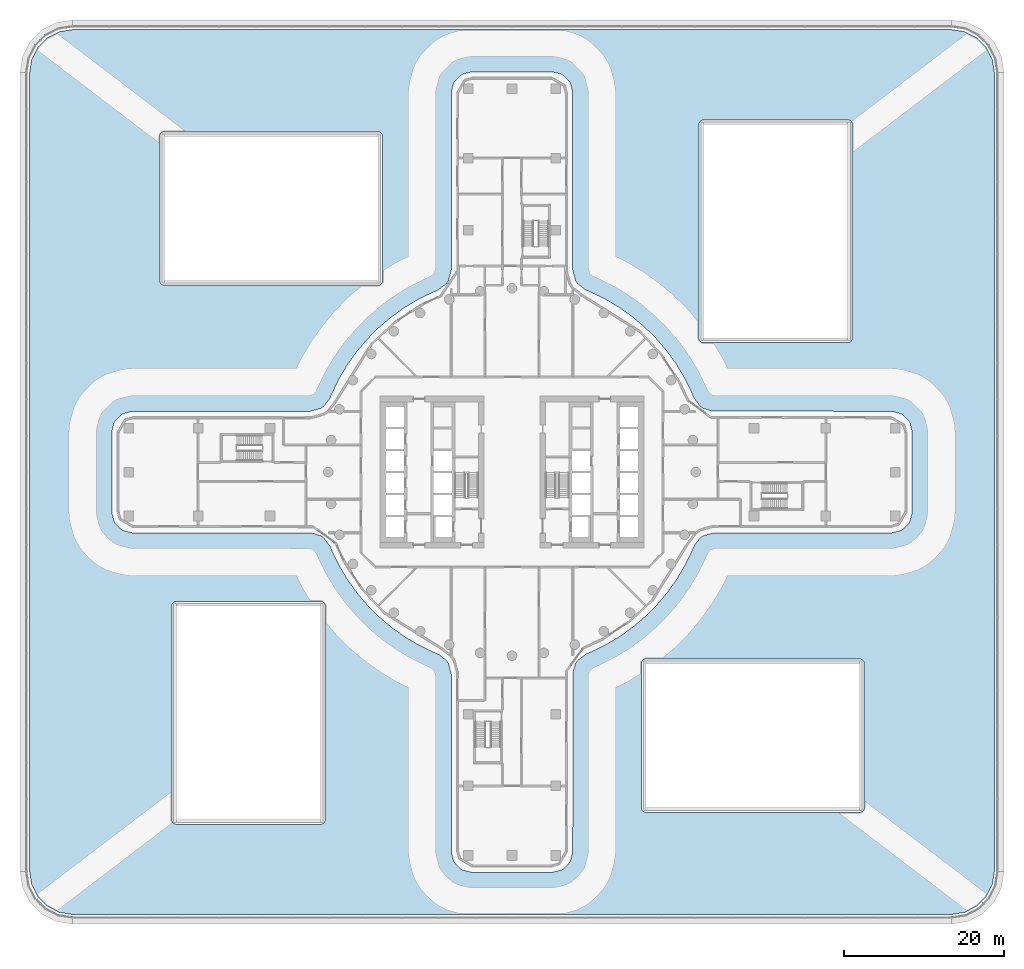
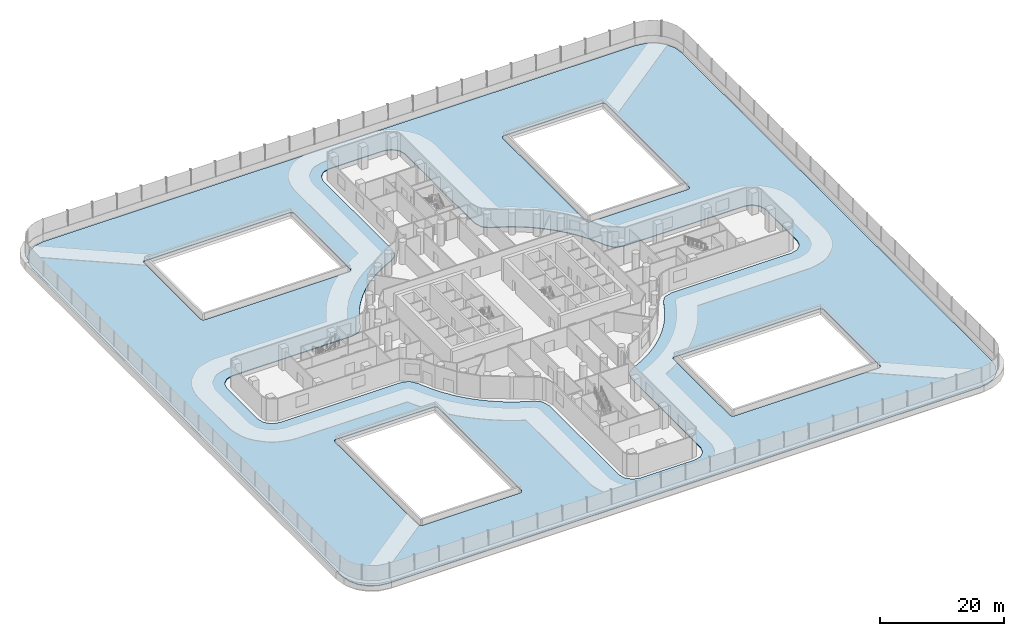
# One storey, part 30 of 37: 1 roof.
"""IFC4 building model written with IfcOpenShell, lengths in metres."""

from ifc_helpers import new_model, si_unit, direction, frame, origin, place, context, subcontext, project, spatial, polyline, outline, extrude, material, layer, layer_set, type_object, element, save


model = new_model("IFC4")

# Units and contexts
model_context = context("Model", 3, precision=1e-05, world=origin(), true_north=direction((0.0, 1.0)))
body_context = subcontext(model_context, "Body", "Model", "MODEL_VIEW")
ifc_project = project(units=[si_unit("LENGTHUNIT", "METRE"), si_unit("AREAUNIT", "SQUARE_METRE"), si_unit("VOLUMEUNIT", "CUBIC_METRE"), si_unit("PLANEANGLEUNIT", "RADIAN"), si_unit("MASSUNIT", "GRAM", prefix="KILO")], contexts=[model_context])

# Site, building, storey
site_placement = place(None, origin())
site = spatial("IfcSite", under=ifc_project, at=site_placement, CompositionType="ELEMENT")
building_placement = place(site_placement, origin())
building = spatial("IfcBuilding", under=site, at=building_placement, Name="Tamarind Cross Interchange Tower", CompositionType="ELEMENT")
storey_placement = place(building_placement, frame((0.0, 0.0, 29.5)))
storey = spatial("IfcBuildingStorey", under=building, at=storey_placement, Name="L05", CompositionType="ELEMENT", Elevation=29.5)

# Roof
ifc_material = material(Name="Soil and planting substrate")
ifc_layer = layer(ifc_material, 0.14990234375)
ifc_layer_set = layer_set([ifc_layer], Name="Soil and planting substrate")
roof_type = type_object("IfcRoofType", Name="Green roof", PredefinedType="USERDEFINED", material=ifc_layer_set)
roof_placement = place(storey_placement, origin())
element("IfcRoof", 1, at=roof_placement, inside=storey, type_object=roof_type, Name="GRF-L05-P", ObjectType="Green roof", PredefinedType="USERDEFINED", context=body_context, shape_type="SweptSolid", body=[
    extrude(outline(polyline([(-59.362548828125, -53.169677734375), (-58.169677734375, -54.362548828125), (-56.66650390625, -55.128662109375), (-54.952880859375, -55.39990234375), (54.952880859375, -55.39990234375), (56.66650390625, -55.128662109375), (58.169677734375, -54.362548828125), (59.362548828125, -53.169677734375), (60.128662109375, -51.66650390625), (60.39990234375, -49.952880859375), (60.39990234375, 49.952880859375), (60.128662109375, 51.66650390625), (59.362548828125, 53.169677734375), (58.169677734375, 54.362548828125), (56.66650390625, 55.128662109375), (54.952880859375, 55.39990234375), (-54.952880859375, 55.39990234375), (-56.66650390625, 55.128662109375), (-58.169677734375, 54.362548828125), (-59.362548828125, 53.169677734375), (-60.128662109375, 51.66650390625), (-60.39990234375, 49.952880859375), (-60.39990234375, -49.952880859375), (-60.128662109375, -51.66650390625), (-59.362548828125, -53.169677734375)]), holes=[polyline([(44.09716796875, -23.941162109375), (44.10009765625, -24.0), (44.10009765625, -42.0), (44.09716796875, -42.058837890625), (44.08837890625, -42.1171875), (44.07421875, -42.17431640625), (44.05419921875, -42.2294921875), (44.029296875, -42.28271484375), (43.998779296875, -42.333251953125), (43.9638671875, -42.380615234375), (43.92431640625, -42.42431640625), (43.880615234375, -42.4638671875), (43.833251953125, -42.498779296875), (43.78271484375, -42.529296875), (43.7294921875, -42.55419921875), (43.67431640625, -42.57421875), (43.6171875, -42.58837890625), (43.558837890625, -42.59716796875), (43.5, -42.60009765625), (16.800048828125, -42.60009765625), (16.7412109375, -42.59716796875), (16.682861328125, -42.58837890625), (16.625732421875, -42.57421875), (16.5703125, -42.55419921875), (16.51708984375, -42.529296875), (16.466796875, -42.498779296875), (16.41943359375, -42.4638671875), (16.375732421875, -42.42431640625), (16.336181640625, -42.380615234375), (16.301025390625, -42.333251953125), (16.270751953125, -42.28271484375), (16.24560546875, -42.2294921875), (16.225830078125, -42.17431640625), (16.21142578125, -42.1171875), (16.202880859375, -42.058837890625), (16.199951171875, -42.0), (16.199951171875, -24.0), (16.202880859375, -23.941162109375), (16.21142578125, -23.8828125), (16.225830078125, -23.82568359375), (16.24560546875, -23.7705078125), (16.270751953125, -23.71728515625), (16.301025390625, -23.666748046875), (16.336181640625, -23.619384765625), (16.375732421875, -23.57568359375), (16.41943359375, -23.5361328125), (16.466796875, -23.501220703125), (16.51708984375, -23.470703125), (16.5703125, -23.44580078125), (16.625732421875, -23.42578125), (16.682861328125, -23.41162109375), (16.7412109375, -23.40283203125), (16.800048828125, -23.39990234375), (43.5, -23.39990234375), (43.558837890625, -23.40283203125), (43.6171875, -23.41162109375), (43.67431640625, -23.42578125), (43.7294921875, -23.44580078125), (43.78271484375, -23.470703125), (43.833251953125, -23.501220703125), (43.880615234375, -23.5361328125), (43.92431640625, -23.57568359375), (43.9638671875, -23.619384765625), (43.998779296875, -23.666748046875), (44.029296875, -23.71728515625), (44.05419921875, -23.7705078125), (44.07421875, -23.82568359375), (44.08837890625, -23.8828125), (44.09716796875, -23.941162109375)]), polyline([(42.058837890625, 16.202880859375), (42.0, 16.199951171875), (24.0, 16.199951171875), (23.941162109375, 16.202880859375), (23.8828125, 16.21142578125), (23.82568359375, 16.225830078125), (23.7705078125, 16.24560546875), (23.71728515625, 16.270751953125), (23.666748046875, 16.301025390625), (23.619384765625, 16.336181640625), (23.57568359375, 16.375732421875), (23.5361328125, 16.41943359375), (23.501220703125, 16.466796875), (23.470703125, 16.51708984375), (23.44580078125, 16.5703125), (23.42578125, 16.625732421875), (23.41162109375, 16.682861328125), (23.40283203125, 16.7412109375), (23.39990234375, 16.800048828125), (23.39990234375, 43.5), (23.40283203125, 43.558837890625), (23.41162109375, 43.6171875), (23.42578125, 43.67431640625), (23.44580078125, 43.7294921875), (23.470703125, 43.78271484375), (23.501220703125, 43.833251953125), (23.5361328125, 43.880615234375), (23.57568359375, 43.92431640625), (23.619384765625, 43.9638671875), (23.666748046875, 43.998779296875), (23.71728515625, 44.029296875), (23.7705078125, 44.05419921875), (23.82568359375, 44.07421875), (23.8828125, 44.08837890625), (23.941162109375, 44.09716796875), (24.0, 44.10009765625), (42.0, 44.10009765625), (42.058837890625, 44.09716796875), (42.1171875, 44.08837890625), (42.17431640625, 44.07421875), (42.2294921875, 44.05419921875), (42.28271484375, 44.029296875), (42.333251953125, 43.998779296875), (42.380615234375, 43.9638671875), (42.42431640625, 43.92431640625), (42.4638671875, 43.880615234375), (42.498779296875, 43.833251953125), (42.529296875, 43.78271484375), (42.55419921875, 43.7294921875), (42.57421875, 43.67431640625), (42.58837890625, 43.6171875), (42.59716796875, 43.558837890625), (42.60009765625, 43.5), (42.60009765625, 16.800048828125), (42.59716796875, 16.7412109375), (42.58837890625, 16.682861328125), (42.57421875, 16.625732421875), (42.55419921875, 16.5703125), (42.529296875, 16.51708984375), (42.498779296875, 16.466796875), (42.4638671875, 16.41943359375), (42.42431640625, 16.375732421875), (42.380615234375, 16.336181640625), (42.333251953125, 16.301025390625), (42.28271484375, 16.270751953125), (42.2294921875, 16.24560546875), (42.17431640625, 16.225830078125), (42.1171875, 16.21142578125), (42.058837890625, 16.202880859375)]), polyline([(-16.7412109375, 23.40283203125), (-16.800048828125, 23.39990234375), (-43.5, 23.39990234375), (-43.558837890625, 23.40283203125), (-43.6171875, 23.41162109375), (-43.67431640625, 23.42578125), (-43.7294921875, 23.44580078125), (-43.78271484375, 23.470703125), (-43.833251953125, 23.501220703125), (-43.880615234375, 23.5361328125), (-43.92431640625, 23.57568359375), (-43.9638671875, 23.619384765625), (-43.998779296875, 23.666748046875), (-44.029296875, 23.71728515625), (-44.05419921875, 23.7705078125), (-44.07421875, 23.82568359375), (-44.08837890625, 23.8828125), (-44.09716796875, 23.941162109375), (-44.10009765625, 24.0), (-44.10009765625, 42.0), (-44.09716796875, 42.058837890625), (-44.08837890625, 42.1171875), (-44.07421875, 42.17431640625), (-44.05419921875, 42.2294921875), (-44.029296875, 42.28271484375), (-43.998779296875, 42.333251953125), (-43.9638671875, 42.380615234375), (-43.92431640625, 42.42431640625), (-43.880615234375, 42.4638671875), (-43.833251953125, 42.498779296875), (-43.78271484375, 42.529296875), (-43.7294921875, 42.55419921875), (-43.67431640625, 42.57421875), (-43.6171875, 42.58837890625), (-43.558837890625, 42.59716796875), (-43.5, 42.60009765625), (-16.800048828125, 42.60009765625), (-16.7412109375, 42.59716796875), (-16.682861328125, 42.58837890625), (-16.625732421875, 42.57421875), (-16.5703125, 42.55419921875), (-16.51708984375, 42.529296875), (-16.466796875, 42.498779296875), (-16.41943359375, 42.4638671875), (-16.375732421875, 42.42431640625), (-16.336181640625, 42.380615234375), (-16.301025390625, 42.333251953125), (-16.270751953125, 42.28271484375), (-16.24560546875, 42.2294921875), (-16.225830078125, 42.17431640625), (-16.21142578125, 42.1171875), (-16.202880859375, 42.058837890625), (-16.199951171875, 42.0), (-16.199951171875, 24.0), (-16.202880859375, 23.941162109375), (-16.21142578125, 23.8828125), (-16.225830078125, 23.82568359375), (-16.24560546875, 23.7705078125), (-16.270751953125, 23.71728515625), (-16.301025390625, 23.666748046875), (-16.336181640625, 23.619384765625), (-16.375732421875, 23.57568359375), (-16.41943359375, 23.5361328125), (-16.466796875, 23.501220703125), (-16.51708984375, 23.470703125), (-16.5703125, 23.44580078125), (-16.625732421875, 23.42578125), (-16.682861328125, 23.41162109375), (-16.7412109375, 23.40283203125)]), polyline([(-23.941162109375, -44.09716796875), (-24.0, -44.10009765625), (-42.0, -44.10009765625), (-42.058837890625, -44.09716796875), (-42.1171875, -44.08837890625), (-42.17431640625, -44.07421875), (-42.2294921875, -44.05419921875), (-42.28271484375, -44.029296875), (-42.333251953125, -43.998779296875), (-42.380615234375, -43.9638671875), (-42.42431640625, -43.92431640625), (-42.4638671875, -43.880615234375), (-42.498779296875, -43.833251953125), (-42.529296875, -43.78271484375), (-42.55419921875, -43.7294921875), (-42.57421875, -43.67431640625), (-42.58837890625, -43.6171875), (-42.59716796875, -43.558837890625), (-42.60009765625, -43.5), (-42.60009765625, -16.800048828125), (-42.59716796875, -16.7412109375), (-42.58837890625, -16.682861328125), (-42.57421875, -16.625732421875), (-42.55419921875, -16.5703125), (-42.529296875, -16.51708984375), (-42.498779296875, -16.466796875), (-42.4638671875, -16.41943359375), (-42.42431640625, -16.375732421875), (-42.380615234375, -16.336181640625), (-42.333251953125, -16.301025390625), (-42.28271484375, -16.270751953125), (-42.2294921875, -16.24560546875), (-42.17431640625, -16.225830078125), (-42.1171875, -16.21142578125), (-42.058837890625, -16.202880859375), (-42.0, -16.199951171875), (-24.0, -16.199951171875), (-23.941162109375, -16.202880859375), (-23.8828125, -16.21142578125), (-23.82568359375, -16.225830078125), (-23.7705078125, -16.24560546875), (-23.71728515625, -16.270751953125), (-23.666748046875, -16.301025390625), (-23.619384765625, -16.336181640625), (-23.57568359375, -16.375732421875), (-23.5361328125, -16.41943359375), (-23.501220703125, -16.466796875), (-23.470703125, -16.51708984375), (-23.44580078125, -16.5703125), (-23.42578125, -16.625732421875), (-23.41162109375, -16.682861328125), (-23.40283203125, -16.7412109375), (-23.39990234375, -16.800048828125), (-23.39990234375, -43.5), (-23.40283203125, -43.558837890625), (-23.41162109375, -43.6171875), (-23.42578125, -43.67431640625), (-23.44580078125, -43.7294921875), (-23.470703125, -43.78271484375), (-23.501220703125, -43.833251953125), (-23.5361328125, -43.880615234375), (-23.57568359375, -43.92431640625), (-23.619384765625, -43.9638671875), (-23.666748046875, -43.998779296875), (-23.71728515625, -44.029296875), (-23.7705078125, -44.05419921875), (-23.82568359375, -44.07421875), (-23.8828125, -44.08837890625), (-23.941162109375, -44.09716796875)]), polyline([(-8.19873046875, 23.5986328125), (-7.985107421875, 23.91162109375), (-7.60009765625, 25.291015625), (-7.60009765625, 47.507568359375), (-7.59765625, 47.559814453125), (-7.5908203125, 47.61181640625), (-7.57958984375, 47.662841796875), (-7.3115234375, 48.662841796875), (-7.292236328125, 48.72265625), (-7.2666015625, 48.780029296875), (-7.2353515625, 48.83447265625), (-7.1982421875, 48.88525390625), (-7.15625, 48.931884765625), (-6.42431640625, 49.663818359375), (-6.377685546875, 49.705810546875), (-6.326904296875, 49.742919921875), (-6.2724609375, 49.774169921875), (-6.215087890625, 49.7998046875), (-6.1552734375, 49.819091796875), (-5.1552734375, 50.087158203125), (-5.104248046875, 50.098388671875), (-5.05224609375, 50.105224609375), (-5.0, 50.107666015625), (5.0, 50.107666015625), (5.05224609375, 50.105224609375), (5.104248046875, 50.098388671875), (5.1552734375, 50.087158203125), (6.1552734375, 49.819091796875), (6.215087890625, 49.7998046875), (6.2724609375, 49.774169921875), (6.326904296875, 49.742919921875), (6.377685546875, 49.705810546875), (6.42431640625, 49.663818359375), (7.15625, 48.931884765625), (7.1982421875, 48.88525390625), (7.2353515625, 48.83447265625), (7.2666015625, 48.780029296875), (7.292236328125, 48.72265625), (7.3115234375, 48.662841796875), (7.57958984375, 47.662841796875), (7.5908203125, 47.61181640625), (7.59765625, 47.559814453125), (7.60009765625, 47.507568359375), (7.60009765625, 25.291015625), (7.985107421875, 23.91162109375), (8.20361328125, 23.591552734375), (9.107421875, 22.873046875), (9.792236328125, 22.5625), (9.8056640625, 22.556396484375), (11.591064453125, 21.69287109375), (11.634765625, 21.66943359375), (13.343017578125, 20.66162109375), (13.384521484375, 20.634765625), (15.00341796875, 19.4892578125), (15.042724609375, 19.458984375), (16.561767578125, 18.18359375), (16.598388671875, 18.150390625), (18.006591796875, 16.75390625), (18.04052734375, 16.717529296875), (19.328857421875, 15.209716796875), (19.359375, 15.170654296875), (20.518798828125, 13.5615234375), (20.5458984375, 13.520263671875), (21.568603515625, 11.82080078125), (21.59228515625, 11.77734375), (22.47119140625, 9.99951171875), (22.489501953125, 9.9580078125), (22.736328125, 9.3466796875), (23.5986328125, 8.19873046875), (23.91845703125, 7.980224609375), (25.00634765625, 7.64404296875), (47.5087890625, 7.60009765625), (47.560791015625, 7.59765625), (47.6123046875, 7.5908203125), (47.662841796875, 7.57958984375), (48.662841796875, 7.3115234375), (48.72265625, 7.292236328125), (48.780029296875, 7.2666015625), (48.83447265625, 7.2353515625), (48.88525390625, 7.1982421875), (48.931884765625, 7.15625), (49.663818359375, 6.42431640625), (49.705810546875, 6.377685546875), (49.742919921875, 6.326904296875), (49.774169921875, 6.2724609375), (49.7998046875, 6.215087890625), (49.819091796875, 6.1552734375), (50.087158203125, 5.1552734375), (50.098388671875, 5.104248046875), (50.105224609375, 5.05224609375), (50.107666015625, 5.0), (50.107666015625, -5.0), (50.105224609375, -5.05224609375), (50.098388671875, -5.104248046875), (50.087158203125, -5.1552734375), (49.819091796875, -6.1552734375), (49.7998046875, -6.215087890625), (49.774169921875, -6.2724609375), (49.742919921875, -6.326904296875), (49.705810546875, -6.377685546875), (49.663818359375, -6.42431640625), (48.931884765625, -7.15625), (48.88525390625, -7.1982421875), (48.83447265625, -7.2353515625), (48.780029296875, -7.2666015625), (48.72265625, -7.292236328125), (48.662841796875, -7.3115234375), (47.662841796875, -7.57958984375), (47.61181640625, -7.5908203125), (47.559814453125, -7.59765625), (47.507568359375, -7.60009765625), (25.291015625, -7.60009765625), (23.91162109375, -7.985107421875), (23.591552734375, -8.20361328125), (22.873046875, -9.107421875), (22.5625, -9.792236328125), (22.556396484375, -9.8056640625), (21.69287109375, -11.591064453125), (21.66943359375, -11.634765625), (20.66162109375, -13.343017578125), (20.634765625, -13.384521484375), (19.4892578125, -15.00341796875), (19.458984375, -15.042724609375), (18.18359375, -16.561767578125), (18.150390625, -16.598388671875), (16.75390625, -18.006591796875), (16.717529296875, -18.04052734375), (15.209716796875, -19.328857421875), (15.170654296875, -19.359375), (13.5615234375, -20.518798828125), (13.520263671875, -20.5458984375), (11.82080078125, -21.568603515625), (11.77734375, -21.59228515625), (9.99951171875, -22.47119140625), (9.9580078125, -22.489501953125), (9.3466796875, -22.736328125), (8.19873046875, -23.5986328125), (7.980224609375, -23.91845703125), (7.64404296875, -25.00634765625), (7.60009765625, -47.5087890625), (7.59765625, -47.560791015625), (7.5908203125, -47.6123046875), (7.57958984375, -47.662841796875), (7.3115234375, -48.662841796875), (7.292236328125, -48.72265625), (7.2666015625, -48.780029296875), (7.2353515625, -48.83447265625), (7.1982421875, -48.88525390625), (7.15625, -48.931884765625), (6.42431640625, -49.663818359375), (6.377685546875, -49.705810546875), (6.326904296875, -49.742919921875), (6.2724609375, -49.774169921875), (6.215087890625, -49.7998046875), (6.1552734375, -49.819091796875), (5.1552734375, -50.087158203125), (5.104248046875, -50.098388671875), (5.05224609375, -50.105224609375), (5.0, -50.107666015625), (-5.0, -50.107666015625), (-5.05224609375, -50.105224609375), (-5.104248046875, -50.098388671875), (-5.1552734375, -50.087158203125), (-6.1552734375, -49.819091796875), (-6.215087890625, -49.7998046875), (-6.2724609375, -49.774169921875), (-6.326904296875, -49.742919921875), (-6.377685546875, -49.705810546875), (-6.42431640625, -49.663818359375), (-7.15625, -48.931884765625), (-7.1982421875, -48.88525390625), (-7.2353515625, -48.83447265625), (-7.2666015625, -48.780029296875), (-7.292236328125, -48.72265625), (-7.3115234375, -48.662841796875), (-7.57958984375, -47.662841796875), (-7.5908203125, -47.61181640625), (-7.59765625, -47.559814453125), (-7.60009765625, -47.507568359375), (-7.60009765625, -25.291015625), (-7.985107421875, -23.91162109375), (-8.20361328125, -23.591552734375), (-9.107421875, -22.873046875), (-9.792236328125, -22.5625), (-9.8056640625, -22.556396484375), (-11.591064453125, -21.69287109375), (-11.634765625, -21.66943359375), (-13.343017578125, -20.66162109375), (-13.384521484375, -20.634765625), (-15.00341796875, -19.4892578125), (-15.042724609375, -19.458984375), (-16.561767578125, -18.18359375), (-16.598388671875, -18.150390625), (-18.006591796875, -16.75390625), (-18.04052734375, -16.717529296875), (-19.328857421875, -15.209716796875), (-19.359375, -15.170654296875), (-20.518798828125, -13.5615234375), (-20.5458984375, -13.520263671875), (-21.568603515625, -11.82080078125), (-21.59228515625, -11.77734375), (-22.47119140625, -9.99951171875), (-22.489501953125, -9.9580078125), (-22.736328125, -9.3466796875), (-23.5986328125, -8.19873046875), (-23.91845703125, -7.980224609375), (-25.00634765625, -7.64404296875), (-47.5087890625, -7.60009765625), (-47.560791015625, -7.59765625), (-47.6123046875, -7.5908203125), (-47.662841796875, -7.57958984375), (-48.662841796875, -7.3115234375), (-48.72265625, -7.292236328125), (-48.780029296875, -7.2666015625), (-48.83447265625, -7.2353515625), (-48.88525390625, -7.1982421875), (-48.931884765625, -7.15625), (-49.663818359375, -6.42431640625), (-49.705810546875, -6.377685546875), (-49.742919921875, -6.326904296875), (-49.774169921875, -6.2724609375), (-49.7998046875, -6.215087890625), (-49.819091796875, -6.1552734375), (-50.087158203125, -5.1552734375), (-50.098388671875, -5.104248046875), (-50.105224609375, -5.05224609375), (-50.107666015625, -5.0), (-50.107666015625, 5.0), (-50.105224609375, 5.05224609375), (-50.098388671875, 5.104248046875), (-50.087158203125, 5.1552734375), (-49.819091796875, 6.1552734375), (-49.7998046875, 6.215087890625), (-49.774169921875, 6.2724609375), (-49.742919921875, 6.326904296875), (-49.705810546875, 6.377685546875), (-49.663818359375, 6.42431640625), (-48.931884765625, 7.15625), (-48.88525390625, 7.1982421875), (-48.83447265625, 7.2353515625), (-48.780029296875, 7.2666015625), (-48.72265625, 7.292236328125), (-48.662841796875, 7.3115234375), (-47.662841796875, 7.57958984375), (-47.61181640625, 7.5908203125), (-47.559814453125, 7.59765625), (-47.507568359375, 7.60009765625), (-25.291015625, 7.60009765625), (-23.91162109375, 7.985107421875), (-23.591552734375, 8.20361328125), (-22.873046875, 9.107421875), (-22.5625, 9.792236328125), (-22.556396484375, 9.8056640625), (-21.69287109375, 11.591064453125), (-21.66943359375, 11.634765625), (-20.66162109375, 13.343017578125), (-20.634765625, 13.384521484375), (-19.4892578125, 15.00341796875), (-19.458984375, 15.042724609375), (-18.18359375, 16.561767578125), (-18.150390625, 16.598388671875), (-16.75390625, 18.006591796875), (-16.717529296875, 18.04052734375), (-15.209716796875, 19.328857421875), (-15.170654296875, 19.359375), (-13.5615234375, 20.518798828125), (-13.520263671875, 20.5458984375), (-11.82080078125, 21.568603515625), (-11.77734375, 21.59228515625), (-9.99951171875, 22.47119140625), (-9.9580078125, 22.489501953125), (-9.3466796875, 22.736328125), (-8.19873046875, 23.5986328125)])]), origin(), (0.0, 0.0, 1.0), 0.14990234375),
])

save(model, "model.ifc")
